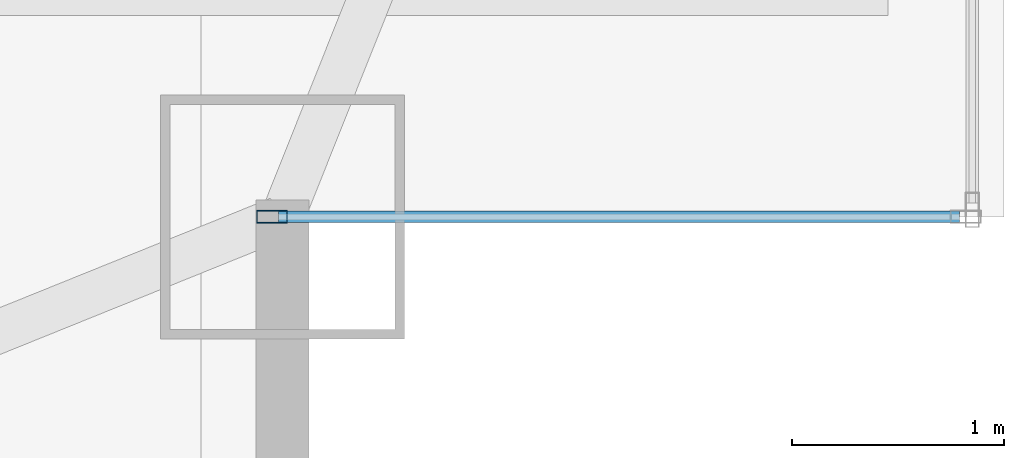
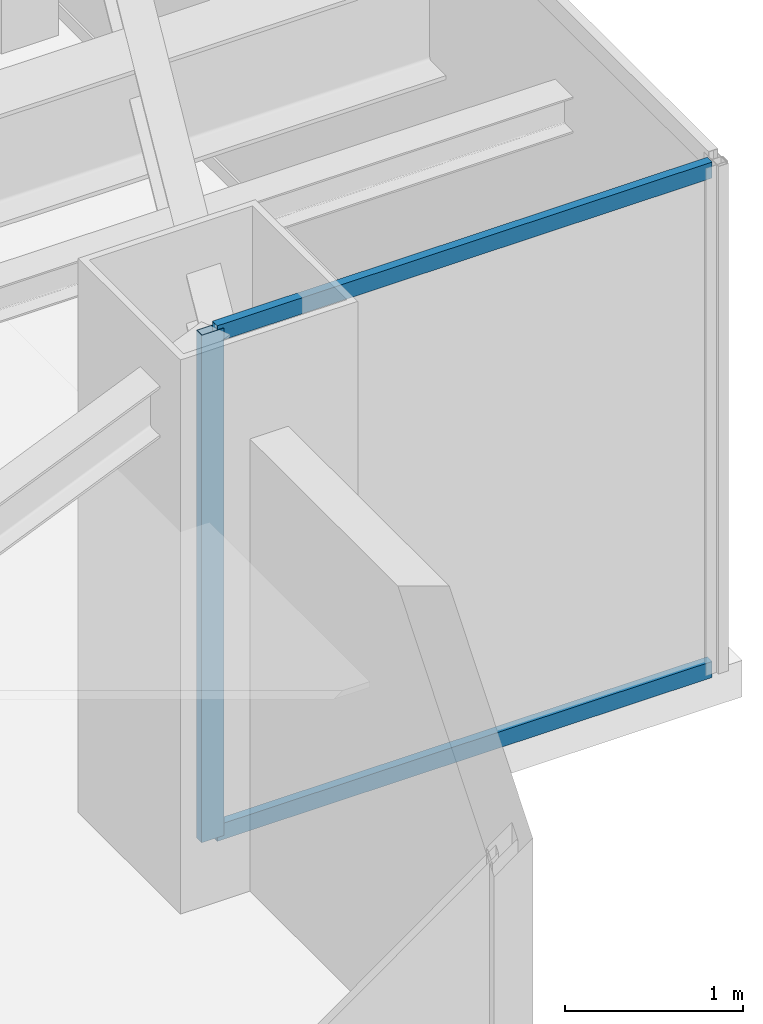
# One storey, part 15 of 28: 3 members, 1 element without a shape of its own.
"""IFC4 building model written with IfcOpenShell, lengths in metres."""

from ifc_helpers import new_model, si_unit, direction, frame, origin, origin_2d, place, context, subcontext, project, spatial, hollow_rectangle, extrude, source, transform, mapped, material, layer, layer_set, material_profile, profile_set, type_object, type_shapes, element, aggregate, save


model = new_model("IFC4")

# Units and contexts
model_context = context("Model", 3, precision=1e-05, world=origin(), true_north=direction((0.0, 1.0)))
body_context = subcontext(model_context, "Body", "Model", "MODEL_VIEW")
ifc_project = project(units=[si_unit("LENGTHUNIT", "METRE"), si_unit("AREAUNIT", "SQUARE_METRE"), si_unit("VOLUMEUNIT", "CUBIC_METRE"), si_unit("PLANEANGLEUNIT", "RADIAN"), si_unit("MASSUNIT", "GRAM", prefix="KILO")], contexts=[model_context])

# Site, building, storey
site_placement = place(None, origin())
site = spatial("IfcSite", under=ifc_project, at=site_placement, CompositionType="ELEMENT")
building_placement = place(site_placement, origin())
building = spatial("IfcBuilding", under=site, at=building_placement, Name="Varnel Quay Broadcast Tower", CompositionType="ELEMENT")
storey_placement = place(building_placement, frame((0.0, 0.0, 230.199951171875)))
storey = spatial("IfcBuildingStorey", under=building, at=storey_placement, Name="L57", CompositionType="ELEMENT", Elevation=230.199951171875)

# Curtain wall, members
ifc_material = material(Name="Anodised Bronze Aluminium 6063-T6", Category="aluminium")
ifc_layer = layer(ifc_material, 0.18994140625, Name="Anodised Bronze Aluminium 6063-T6")
ifc_layer_set = layer_set([ifc_layer], Name="Anodised Bronze Aluminium 6063-T6")
curtain_wall_type = type_object("IfcCurtainWallType", Name="CW_NotchCorner", PredefinedType="NOTDEFINED", material=ifc_layer_set)
curtain_wall_placement = place(storey_placement, origin())
curtain_wall = element("IfcCurtainWall", 1, at=curtain_wall_placement, inside=storey, type_object=curtain_wall_type, Name="L57 SE Notch Curtain Wall", PredefinedType="NOTDEFINED")
ifc_material_profile_1 = material_profile(ifc_material, hollow_rectangle(XDim=0.06005859375, YDim=0.14501953125, WallThickness=0.00341796875, at=origin_2d()), Name="ALU60X145X3.5")
ifc_profile_set_1 = profile_set([ifc_material_profile_1], Name="Anodised Bronze Aluminium 6063-T6")
member_type_1 = type_object("IfcMemberType", Name="Mull_CWS-04", PredefinedType="MULLION", material=ifc_profile_set_1)
shared_shape_1 = source(origin(), body_context, "Body", "SweptSolid", [
    extrude(hollow_rectangle(XDim=0.06005859375, YDim=0.14501953125, WallThickness=0.00341796875, at=origin_2d()), origin(), (0.0, 0.0, 1.0), 3.47998046875),
])
type_shapes(member_type_1, [shared_shape_1])
member_1_placement = place(storey_placement, frame((55.050048828125, 13.60009765625, 0.0), z_axis=(0.0, 0.0, 1.0), x_axis=(0.0, 1.0, 0.0)))
member_1 = element("IfcMember", 2, at=member_1_placement, type_object=member_type_1, Name="CWS-04 mullion 1", PredefinedType="MULLION", context=body_context, shape_type="MappedRepresentation", body=[
    mapped(shared_shape_1, transform((0.0, 0.0, 0.0), x_axis=(1.0, 0.0, 0.0), y_axis=(0.0, 1.0, 0.0), z_axis=(0.0, 0.0, 1.0), scale=1.0)),
])
ifc_material_profile_2 = material_profile(ifc_material, hollow_rectangle(XDim=0.054931640625, YDim=0.110107421875, WallThickness=0.0029296875, at=origin_2d()), Name="ALU55X110X3")
ifc_profile_set_2 = profile_set([ifc_material_profile_2], Name="Anodised Bronze Aluminium 6063-T6")
member_type_2 = type_object("IfcMemberType", Name="Tran_CWS-04", PredefinedType="USERDEFINED", material=ifc_profile_set_2)
shared_shape_2 = source(origin(), body_context, "Body", "SweptSolid", [
    extrude(hollow_rectangle(XDim=0.054931640625, YDim=0.110107421875, WallThickness=0.0029296875, at=origin_2d()), origin(), (0.0, 0.0, 1.0), 3.2099609375),
])
type_shapes(member_type_2, [shared_shape_2])
member_2_placement = place(storey_placement, frame((55.080078125, 13.60009765625, 0.027587890625), z_axis=(1.0, 0.0, 0.0), x_axis=(0.0, 1.0, 0.0)))
member_2 = element("IfcMember", 3, at=member_2_placement, type_object=member_type_2, Name="CWS-04 transom 1.1", ObjectType="TRANSOM", PredefinedType="USERDEFINED", context=body_context, shape_type="MappedRepresentation", body=[
    mapped(shared_shape_2, transform((0.0, 0.0, 0.0), x_axis=(1.0, 0.0, 0.0), y_axis=(0.0, 1.0, 0.0), z_axis=(0.0, 0.0, 1.0), scale=1.0)),
])
member_3_placement = place(storey_placement, frame((55.080078125, 13.60009765625, 3.45263671875), z_axis=(1.0, 0.0, 0.0), x_axis=(0.0, 1.0, 0.0)))
member_3 = element("IfcMember", 4, at=member_3_placement, type_object=member_type_2, Name="CWS-04 transom 1.2", ObjectType="TRANSOM", PredefinedType="USERDEFINED", context=body_context, shape_type="MappedRepresentation", body=[
    mapped(shared_shape_2, transform((0.0, 0.0, 0.0), x_axis=(1.0, 0.0, 0.0), y_axis=(0.0, 1.0, 0.0), z_axis=(0.0, 0.0, 1.0), scale=1.0)),
])
aggregate(curtain_wall, [member_1, member_2, member_3])

save(model, "model.ifc")
